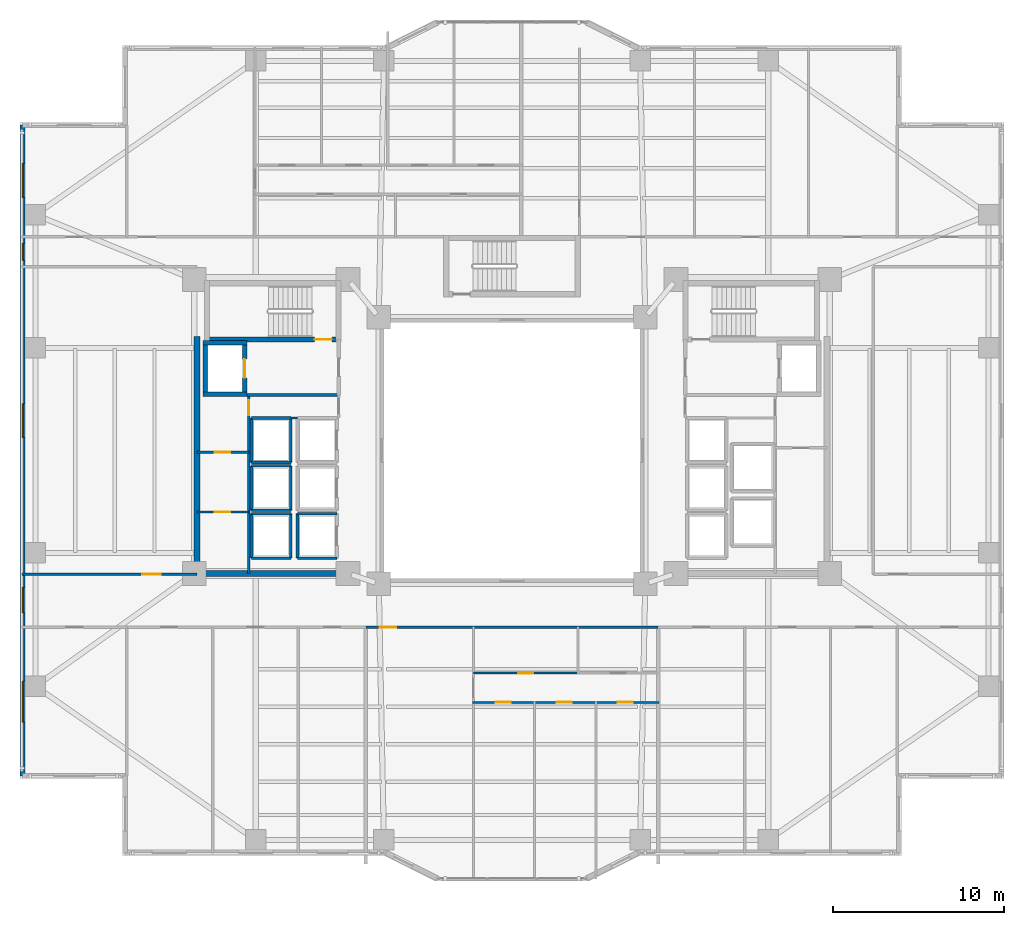
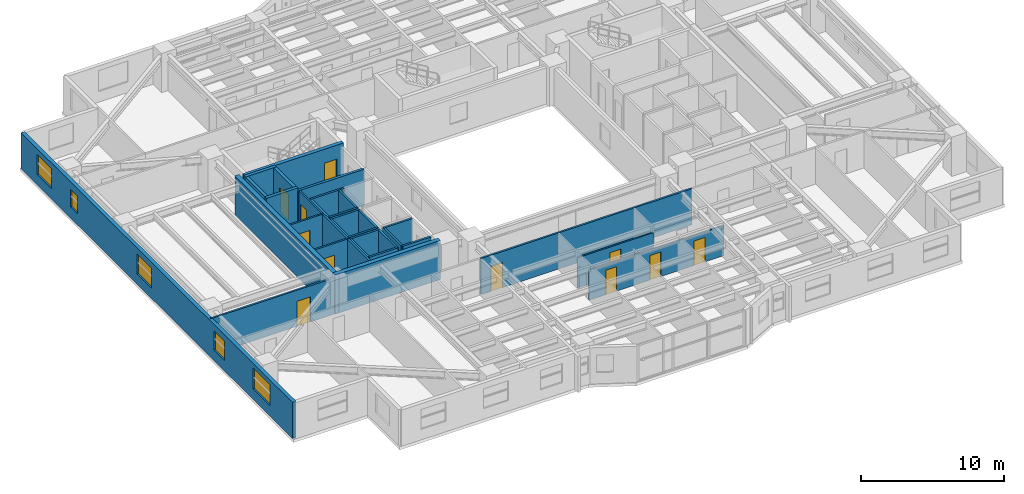
# One storey, part 10 of 19: 32 walls, 11 doors, 5 windows, 16 openings.
"""IFC4 building model written with IfcOpenShell, lengths in metres."""

from ifc_helpers import new_model, si_unit, direction, frame, frame_2d, origin, place, context, subcontext, project, spatial, rectangle, extrude, material, layer, layer_set, type_object, element, fill, save


model = new_model("IFC4")

# Units and contexts
model_context = context("Model", 3, precision=1e-05, world=origin(), true_north=direction((0.0, 1.0)))
body_context = subcontext(model_context, "Body", "Model", "MODEL_VIEW")
ifc_project = project(units=[si_unit("LENGTHUNIT", "METRE"), si_unit("AREAUNIT", "SQUARE_METRE"), si_unit("VOLUMEUNIT", "CUBIC_METRE"), si_unit("PLANEANGLEUNIT", "RADIAN"), si_unit("MASSUNIT", "GRAM", prefix="KILO")], contexts=[model_context])

# Site, building, storey
site_placement = place(None, origin())
site = spatial("IfcSite", under=ifc_project, at=site_placement, CompositionType="ELEMENT")
building_placement = place(site_placement, origin())
building = spatial("IfcBuilding", under=site, at=building_placement, Name="Tarnavaz Court Tower", CompositionType="ELEMENT")
storey_placement = place(building_placement, frame((0.0, 0.0, 54.14990234375)))
storey = spatial("IfcBuildingStorey", under=building, at=storey_placement, Name="L14", CompositionType="ELEMENT", Elevation=54.14990234375)

# Wall
ifc_material_1 = material(Name="Concrete C60/75", Category="concrete")
ifc_layer_1 = layer(ifc_material_1, 0.25)
ifc_layer_set_1 = layer_set([ifc_layer_1], Name="Concrete C60/75")
wall_type_1 = type_object("IfcWallType", Name="WL-CORE-250-C60", PredefinedType="SHEAR", material=ifc_layer_set_1)
wall_1_placement = place(storey_placement, frame((-17.949951171875, 3.175048828125, 0.0), z_axis=(0.0, 0.0, 1.0), x_axis=(0.0, 1.0, 0.0)))
element("IfcWall", 1, at=wall_1_placement, inside=storey, type_object=wall_type_1, Name="L14 Lift FL-W1 Shaft Wall 017", PredefinedType="SHEAR", context=body_context, shape_type="SweptSolid", body=[
    extrude(rectangle(XDim=3.25, YDim=0.25, at=frame_2d((1.625, 0.0))), origin(), (0.0, 0.0, 1.0), 3.35009765625),
])

# Wall, opening, door
wall_2_placement = place(storey_placement, frame((-15.64990234375, 3.175048828125, 0.0), z_axis=(0.0, 0.0, 1.0), x_axis=(0.0, 1.0, 0.0)))
wall_2 = element("IfcWall", 2, at=wall_2_placement, inside=storey, type_object=wall_type_1, Name="L14 Lift FL-W1 Shaft Wall 018", PredefinedType="SHEAR", context=body_context, shape_type="SweptSolid", body=[
    extrude(rectangle(XDim=3.25, YDim=0.25, at=frame_2d((1.625, 0.0))), origin(), (0.0, 0.0, 1.0), 3.35009765625),
])
opening_1_placement = place(wall_2_placement, frame((1.074951171875, 0.0, 0.0)))
opening_1 = element("IfcOpeningElement", 3, at=opening_1_placement, cuts=wall_2, Name="Opening LD1", PredefinedType="OPENING", context=body_context, shape_type="SweptSolid", body=[
    extrude(rectangle(XDim=1.10009765625, YDim=2.14990234375, at=frame_2d((0.550048828125, 1.074951171875))), frame((0.0, 0.135009765625, 0.0), z_axis=(0.0, -1.0, 0.0), x_axis=(1.0, 0.0, 0.0)), (0.0, 0.0, 1.0), 0.27001953125),
])
ifc_material_2 = material(Name="Stainless Steel", Category="steel")
door_type_1 = type_object("IfcDoorType", Name="DR-LD-1100", OperationType="NOTDEFINED", PredefinedType="DOOR", material=ifc_material_2)
door_1_placement = place(opening_1_placement, origin())
door_1 = element("IfcDoor", 4, at=door_1_placement, inside=storey, type_object=door_type_1, Name="L14 Lift Landing Door LD-FL-W1", OperationType="SLIDING_TO_LEFT", OverallHeight=2.14990234375, OverallWidth=1.10009765625, PredefinedType="DOOR", context=body_context, shape_type="SweptSolid", body=[
    extrude(rectangle(XDim=1.10009765625, YDim=2.14990234375, at=frame_2d((0.550048828125, 1.074951171875))), frame((0.0, 0.02490234375, 0.0), z_axis=(0.0, -1.0, 0.0), x_axis=(1.0, 0.0, 0.0)), (0.0, 0.0, 1.0), 0.050048828125),
])
fill(opening_1, door_1)

# Walls
for number, where, z_axis, x_axis, name in (
    (5, (-18.074951171875, 3.300048828125, 0.0), (0.0, 0.0, 1.0), (1.0, 0.0, 0.0), "L14 Lift FL-W1 Shaft Wall 019"),
    (6, (-18.074951171875, 6.300048828125, 0.0), (0.0, 0.0, 1.0), (1.0, 0.0, 0.0), "L14 Lift FL-W1 Shaft Wall 020"),
):
    element("IfcWall", number, at=place(storey_placement, frame(where, z_axis=z_axis, x_axis=x_axis)), inside=storey, type_object=wall_type_1, Name=name, PredefinedType="SHEAR", context=body_context, shape_type="SweptSolid", body=[
        extrude(rectangle(XDim=2.550048828125, YDim=0.25, at=frame_2d((1.27490234375, 0.0))), origin(), (0.0, 0.0, 1.0), 3.35009765625),
    ])

# Wall, opening, door
ifc_layer_2 = layer(ifc_material_1, 0.300048828125)
ifc_layer_set_2 = layer_set([ifc_layer_2], Name="Concrete C60/75")
wall_type_2 = type_object("IfcWallType", Name="WL-CORE-300-C60", PredefinedType="SHEAR", material=ifc_layer_set_2)
wall_3_placement = place(storey_placement, frame((-18.0, 6.5, 0.0), z_axis=(0.0, 0.0, 1.0), x_axis=(1.0, 0.0, 0.0)))
wall_3 = element("IfcWall", 7, at=wall_3_placement, inside=storey, type_object=wall_type_2, Name="L14 West Stair Core Wall 002", PredefinedType="SHEAR", context=body_context, shape_type="SweptSolid", body=[
    extrude(rectangle(XDim=8.0, YDim=0.300048828125, at=frame_2d((4.0, 0.0))), origin(), (0.0, 0.0, 1.0), 3.35009765625),
])
opening_2_placement = place(wall_3_placement, frame((6.449951171875, 0.0, 0.0)))
opening_2 = element("IfcOpeningElement", 8, at=opening_2_placement, cuts=wall_3, Name="Opening D01", PredefinedType="OPENING", context=body_context, shape_type="SweptSolid", body=[
    extrude(rectangle(XDim=1.0, YDim=2.14990234375, at=frame_2d((0.5, 1.074951171875))), frame((0.0, 0.159912109375, 0.0), z_axis=(0.0, -1.0, 0.0), x_axis=(1.0, 0.0, 0.0)), (0.0, 0.0, 1.0), 0.320068359375),
])
ifc_material_3 = material(Name="Fire-Rated Hardwood Timber Core", Category="wood")
door_type_2 = type_object("IfcDoorType", Name="DR-FD90-1000", OperationType="NOTDEFINED", PredefinedType="DOOR", material=ifc_material_3)
door_2_placement = place(opening_2_placement, origin())
door_2 = element("IfcDoor", 9, at=door_2_placement, inside=storey, type_object=door_type_2, Name="L14 Stair ST-W1 Exit Door", OperationType="SINGLE_SWING_LEFT", OverallHeight=2.14990234375, OverallWidth=1.0, PredefinedType="DOOR", context=body_context, shape_type="SweptSolid", body=[
    extrude(rectangle(XDim=1.0, YDim=2.14990234375, at=frame_2d((0.5, 1.074951171875))), frame((0.0, 0.02490234375, 0.0), z_axis=(0.0, -1.0, 0.0), x_axis=(1.0, 0.0, 0.0)), (0.0, 0.0, 1.0), 0.050048828125),
])
fill(opening_2, door_2)

# Walls
ifc_layer_3 = layer(ifc_material_1, 0.35009765625)
ifc_layer_set_3 = layer_set([ifc_layer_3], Name="Concrete C60/75")
wall_type_3 = type_object("IfcWallType", Name="WL-CORE-350-C60", PredefinedType="SHEAR", material=ifc_layer_set_3)
wall_4_placement = place(storey_placement, frame((-18.449951171875, -7.375, 0.0), z_axis=(0.0, 0.0, 1.0), x_axis=(0.0, 1.0, 0.0)))
element("IfcWall", 10, at=wall_4_placement, inside=storey, type_object=wall_type_3, Name="L14 West Core Shear Wall 069", PredefinedType="SHEAR", context=body_context, shape_type="SweptSolid", body=[
    extrude(rectangle(XDim=14.050048828125, YDim=0.35009765625, at=frame_2d((7.02490234375, 0.0))), origin(), (0.0, 0.0, 1.0), 3.35009765625),
])
wall_5_placement = place(storey_placement, frame((-18.625, -7.199951171875, 0.0), z_axis=(0.0, 0.0, 1.0), x_axis=(1.0, 0.0, 0.0)))
element("IfcWall", 11, at=wall_5_placement, inside=storey, type_object=wall_type_3, Name="L14 West Core South Shear Wall 070", PredefinedType="SHEAR", context=body_context, shape_type="SweptSolid", body=[
    extrude(rectangle(XDim=8.550048828125, YDim=0.35009765625, at=frame_2d((4.27490234375, 0.0))), origin(), (0.0, 0.0, 1.0), 3.35009765625),
])

# Wall, openings, windows
ifc_material_4 = material(Name="Precast Concrete C40/50", Category="concrete")
ifc_layer_4 = layer(ifc_material_4, 0.300048828125)
ifc_layer_set_4 = layer_set([ifc_layer_4], Name="Precast Concrete C40/50")
wall_type_4 = type_object("IfcWallType", Name="WL-EXT-300", PredefinedType="SOLIDWALL", material=ifc_layer_set_4)
wall_6_placement = place(storey_placement, frame((-28.64990234375, -19.050048828125, 0.0), z_axis=(0.0, 0.0, 1.0), x_axis=(0.0, 1.0, 0.0)))
wall_6 = element("IfcWall", 12, at=wall_6_placement, inside=storey, type_object=wall_type_4, Name="L14 Exterior Terracotta Facade Wall 02", PredefinedType="SOLIDWALL", context=body_context, shape_type="SweptSolid", body=[
    extrude(rectangle(XDim=38.10009765625, YDim=0.300048828125, at=frame_2d((19.050048828125, 0.0))), origin(), (0.0, 0.0, 1.0), 3.10009765625),
])
opening_3_placement = place(wall_6_placement, frame((3.14990234375, 0.0, 0.89990234375)))
opening_3 = element("IfcOpeningElement", 13, at=opening_3_placement, cuts=wall_6, Name="Opening W06", PredefinedType="OPENING", context=body_context, shape_type="SweptSolid", body=[
    extrude(rectangle(XDim=2.39990234375, YDim=1.800048828125, at=frame_2d((1.199951171875, 0.89990234375))), frame((0.0, 0.159912109375, 0.0), z_axis=(0.0, -1.0, 0.0), x_axis=(1.0, 0.0, 0.0)), (0.0, 0.0, 1.0), 0.320068359375),
])
opening_4_placement = place(wall_6_placement, frame((9.54248046875, 0.0, 0.89990234375)))
opening_4 = element("IfcOpeningElement", 14, at=opening_4_placement, cuts=wall_6, Name="Opening W03", PredefinedType="OPENING", context=body_context, shape_type="SweptSolid", body=[
    extrude(rectangle(XDim=1.5, YDim=1.64990234375, at=frame_2d((0.75, 0.824951171875))), frame((0.0, 0.159912109375, 0.0), z_axis=(0.0, -1.0, 0.0), x_axis=(1.0, 0.0, 0.0)), (0.0, 0.0, 1.0), 0.320068359375),
])
opening_5_placement = place(wall_6_placement, frame((19.800048828125, 0.0, 0.89990234375)))
opening_5 = element("IfcOpeningElement", 15, at=opening_5_placement, cuts=wall_6, Name="Opening W08", PredefinedType="OPENING", context=body_context, shape_type="SweptSolid", body=[
    extrude(rectangle(XDim=2.0, YDim=1.699951171875, at=frame_2d((1.0, 0.85009765625))), frame((0.0, 0.159912109375, 0.0), z_axis=(0.0, -1.0, 0.0), x_axis=(1.0, 0.0, 0.0)), (0.0, 0.0, 1.0), 0.320068359375),
])
opening_6_placement = place(wall_6_placement, frame((30.175048828125, 0.0, 0.949951171875)))
opening_6 = element("IfcOpeningElement", 16, at=opening_6_placement, cuts=wall_6, Name="Opening W14", PredefinedType="OPENING", context=body_context, shape_type="SweptSolid", body=[
    extrude(rectangle(XDim=1.0, YDim=1.5, at=frame_2d((0.5, 0.75))), frame((0.0, 0.159912109375, 0.0), z_axis=(0.0, -1.0, 0.0), x_axis=(1.0, 0.0, 0.0)), (0.0, 0.0, 1.0), 0.320068359375),
])
opening_7_placement = place(wall_6_placement, frame((33.85009765625, 0.0, 0.89990234375)))
opening_7 = element("IfcOpeningElement", 17, at=opening_7_placement, cuts=wall_6, Name="Opening W08", PredefinedType="OPENING", context=body_context, shape_type="SweptSolid", body=[
    extrude(rectangle(XDim=2.0, YDim=1.699951171875, at=frame_2d((1.0, 0.85009765625))), frame((0.0, 0.159912109375, 0.0), z_axis=(0.0, -1.0, 0.0), x_axis=(1.0, 0.0, 0.0)), (0.0, 0.0, 1.0), 0.320068359375),
])
ifc_material_5 = material(Name="Double-Glazed Solar Low-E Glass", Category="glass")
window_type_1 = type_object("IfcWindowType", Name="WN-APT-1000", PartitioningType="SINGLE_PANEL", PredefinedType="WINDOW", material=ifc_material_5)
window_1_placement = place(opening_6_placement, origin())
window_1 = element("IfcWindow", 18, at=window_1_placement, inside=storey, type_object=window_type_1, Name="L14 North-West Corner Corridor Window", OverallHeight=1.5, OverallWidth=1.0, PartitioningType="SINGLE_PANEL", PredefinedType="WINDOW", context=body_context, shape_type="SweptSolid", body=[
    extrude(rectangle(XDim=1.0, YDim=1.5, at=frame_2d((0.5, 0.75))), frame((0.0, 0.030029296875, 0.0), z_axis=(0.0, -1.0, 0.0), x_axis=(1.0, 0.0, 0.0)), (0.0, 0.0, 1.0), 0.06005859375),
])
fill(opening_6, window_1)
window_type_2 = type_object("IfcWindowType", Name="WN-APT-1500", PartitioningType="DOUBLE_PANEL_VERTICAL", PredefinedType="WINDOW", material=ifc_material_5)
window_2_placement = place(opening_4_placement, origin())
window_2 = element("IfcWindow", 19, at=window_2_placement, inside=storey, type_object=window_type_2, Name="L14 South-West Corner Corridor Window", OverallHeight=1.64990234375, OverallWidth=1.5, PartitioningType="SINGLE_PANEL", PredefinedType="WINDOW", context=body_context, shape_type="SweptSolid", body=[
    extrude(rectangle(XDim=1.5, YDim=1.64990234375, at=frame_2d((0.75, 0.824951171875))), frame((0.0, 0.030029296875, 0.0), z_axis=(0.0, -1.0, 0.0), x_axis=(1.0, 0.0, 0.0)), (0.0, 0.0, 1.0), 0.06005859375),
])
fill(opening_4, window_2)
window_type_3 = type_object("IfcWindowType", Name="WN-APT-2000", PartitioningType="DOUBLE_PANEL_VERTICAL", PredefinedType="WINDOW", material=ifc_material_5)
window_3_placement = place(opening_5_placement, origin())
window_3 = element("IfcWindow", 20, at=window_3_placement, inside=storey, type_object=window_type_3, Name="L14 West Wing Panoramic Study Gallery Window", OverallHeight=1.699951171875, OverallWidth=2.0, PartitioningType="SINGLE_PANEL", PredefinedType="WINDOW", context=body_context, shape_type="SweptSolid", body=[
    extrude(rectangle(XDim=2.0, YDim=1.699951171875, at=frame_2d((1.0, 0.85009765625))), frame((0.0, 0.030029296875, 0.0), z_axis=(0.0, -1.0, 0.0), x_axis=(1.0, 0.0, 0.0)), (0.0, 0.0, 1.0), 0.06005859375),
])
fill(opening_5, window_3)
window_4_placement = place(opening_7_placement, origin())
window_4 = element("IfcWindow", 21, at=window_4_placement, inside=storey, type_object=window_type_3, Name="L14 North-West Corner Sunroom Study Window", OverallHeight=1.699951171875, OverallWidth=2.0, PartitioningType="SINGLE_PANEL", PredefinedType="WINDOW", context=body_context, shape_type="SweptSolid", body=[
    extrude(rectangle(XDim=2.0, YDim=1.699951171875, at=frame_2d((1.0, 0.85009765625))), frame((0.0, 0.030029296875, 0.0), z_axis=(0.0, -1.0, 0.0), x_axis=(1.0, 0.0, 0.0)), (0.0, 0.0, 1.0), 0.06005859375),
])
fill(opening_7, window_4)
window_type_4 = type_object("IfcWindowType", Name="WN-APT-2400", PartitioningType="TRIPLE_PANEL_VERTICAL", PredefinedType="WINDOW", material=ifc_material_5)
window_5_placement = place(opening_3_placement, origin())
window_5 = element("IfcWindow", 22, at=window_5_placement, inside=storey, type_object=window_type_4, Name="L14 South-West Corner Reading Room Window", OverallHeight=1.800048828125, OverallWidth=2.39990234375, PartitioningType="SINGLE_PANEL", PredefinedType="WINDOW", context=body_context, shape_type="SweptSolid", body=[
    extrude(rectangle(XDim=2.39990234375, YDim=1.800048828125, at=frame_2d((1.199951171875, 0.89990234375))), frame((0.0, 0.030029296875, 0.0), z_axis=(0.0, -1.0, 0.0), x_axis=(1.0, 0.0, 0.0)), (0.0, 0.0, 1.0), 0.06005859375),
])
fill(opening_3, window_5)

# Wall, opening, door
ifc_material_6 = material(Name="Gypsum Fire-Board on Acoustic Metal Stud", Category="masonry")
ifc_layer_5 = layer(ifc_material_6, 0.14990234375)
ifc_layer_set_5 = layer_set([ifc_layer_5], Name="Gypsum Fire-Board on Acoustic Metal Stud")
wall_type_5 = type_object("IfcWallType", Name="WL-FIRE-150", PredefinedType="PARTITIONING", material=ifc_layer_set_5)
wall_7_placement = place(storey_placement, frame((-8.550048828125, -10.35009765625, 0.0), z_axis=(0.0, 0.0, 1.0), x_axis=(1.0, 0.0, 0.0)))
wall_7 = element("IfcWall", 23, at=wall_7_placement, inside=storey, type_object=wall_type_5, Name="L14 South Ring Corridor Wall 086", PredefinedType="PARTITIONING", context=body_context, shape_type="SweptSolid", body=[
    extrude(rectangle(XDim=17.10009765625, YDim=0.14990234375, at=frame_2d((8.550048828125, 0.0))), origin(), (0.0, 0.0, 1.0), 3.10009765625),
])
opening_8_placement = place(wall_7_placement, frame((0.800048828125, 0.0, 0.0)))
opening_8 = element("IfcOpeningElement", 24, at=opening_8_placement, cuts=wall_7, Name="Opening D06", PredefinedType="OPENING", context=body_context, shape_type="SweptSolid", body=[
    extrude(rectangle(XDim=0.9599609375, YDim=2.14990234375, at=frame_2d((0.47998046875, 1.074951171875))), frame((0.0, 0.0849609375, 0.0), z_axis=(0.0, -1.0, 0.0), x_axis=(1.0, 0.0, 0.0)), (0.0, 0.0, 1.0), 0.169921875),
])
door_type_3 = type_object("IfcDoorType", Name="DR-FD60-950", OperationType="NOTDEFINED", PredefinedType="DOOR", material=ifc_material_3)
door_3_placement = place(opening_8_placement, origin())
door_3 = element("IfcDoor", 25, at=door_3_placement, inside=storey, type_object=door_type_3, Name="L14 Flat 02 Entrance Door", OperationType="SINGLE_SWING_RIGHT", OverallHeight=2.14990234375, OverallWidth=0.9599609375, PredefinedType="DOOR", context=body_context, shape_type="SweptSolid", body=[
    extrude(rectangle(XDim=0.9599609375, YDim=2.14990234375, at=frame_2d((0.47998046875, 1.074951171875))), frame((0.0, 0.02490234375, 0.0), z_axis=(0.0, -1.0, 0.0), x_axis=(1.0, 0.0, 0.0)), (0.0, 0.0, 1.0), 0.050048828125),
])
fill(opening_8, door_3)

wall_8_placement = place(storey_placement, frame((-28.679931640625, -7.25, 0.0), z_axis=(0.0, 0.0, 1.0), x_axis=(1.0, 0.0, 0.0)))
wall_8 = element("IfcWall", 26, at=wall_8_placement, inside=storey, type_object=wall_type_5, Name="L14 Interior Partition 113", PredefinedType="PARTITIONING", context=body_context, shape_type="SweptSolid", body=[
    extrude(rectangle(XDim=10.22998046875, YDim=0.14990234375, at=frame_2d((5.114990234375, 0.0))), origin(), (0.0, 0.0, 1.0), 3.10009765625),
])
opening_9_placement = place(wall_8_placement, frame((7.030029296875, 0.0, 0.0)))
opening_9 = element("IfcOpeningElement", 27, at=opening_9_placement, cuts=wall_8, Name="Opening D12", PredefinedType="OPENING", context=body_context, shape_type="SweptSolid", body=[
    extrude(rectangle(XDim=1.080078125, YDim=2.14990234375, at=frame_2d((0.5400390625, 1.074951171875))), frame((0.0, 0.0849609375, 0.0), z_axis=(0.0, -1.0, 0.0), x_axis=(1.0, 0.0, 0.0)), (0.0, 0.0, 1.0), 0.169921875),
])
ifc_material_7 = material(Name="Engineered Oak Timber", Category="wood")
door_type_4 = type_object("IfcDoorType", Name="DR-INT-1100", OperationType="NOTDEFINED", PredefinedType="DOOR", material=ifc_material_7)
door_4_placement = place(opening_9_placement, origin())
door_4 = element("IfcDoor", 28, at=door_4_placement, inside=storey, type_object=door_type_4, Name="L14 West Study Gallery Door", OperationType="SINGLE_SWING_LEFT", OverallHeight=2.14990234375, OverallWidth=1.080078125, PredefinedType="DOOR", context=body_context, shape_type="SweptSolid", body=[
    extrude(rectangle(XDim=1.080078125, YDim=2.14990234375, at=frame_2d((0.5400390625, 1.074951171875))), frame((0.0, 0.02490234375, 0.0), z_axis=(0.0, -1.0, 0.0), x_axis=(1.0, 0.0, 0.0)), (0.0, 0.0, 1.0), 0.050048828125),
])
fill(opening_9, door_4)

# Wall
ifc_material_8 = material(Name="Autoclaved Aerated Concrete Blockwork", Category="masonry")
ifc_layer_6 = layer(ifc_material_8, 0.199951171875)
ifc_layer_set_6 = layer_set([ifc_layer_6], Name="Autoclaved Aerated Concrete Blockwork")
wall_type_6 = type_object("IfcWallType", Name="WL-FIRE-200", PredefinedType="SOLIDWALL", material=ifc_layer_set_6)
wall_9_placement = place(storey_placement, frame((-15.550048828125, 3.25, 0.0), z_axis=(0.0, 0.0, 1.0), x_axis=(1.0, 0.0, 0.0)))
element("IfcWall", 29, at=wall_9_placement, inside=storey, type_object=wall_type_6, Name="L14 West Firefighting Lobby Wall 013", PredefinedType="SOLIDWALL", context=body_context, shape_type="SweptSolid", body=[
    extrude(rectangle(XDim=5.400146484375, YDim=0.199951171875, at=frame_2d((2.7001953125, 0.0))), origin(), (0.0, 0.0, 1.0), 3.10009765625),
])

# Wall, opening, door
ifc_material_9 = material(Name="Moisture-Resistant Gypsum Board Partition", Category="masonry")
ifc_layer_7 = layer(ifc_material_9, 0.1201171875)
ifc_layer_set_7 = layer_set([ifc_layer_7], Name="Moisture-Resistant Gypsum Board Partition")
wall_type_7 = type_object("IfcWallType", Name="WL-PART-120", PredefinedType="PARTITIONING", material=ifc_layer_set_7)
wall_10_placement = place(storey_placement, frame((-2.25, -13.030029296875, 0.0), z_axis=(0.0, 0.0, 1.0), x_axis=(1.0, 0.0, 0.0)))
wall_10 = element("IfcWall", 30, at=wall_10_placement, inside=storey, type_object=wall_type_7, Name="L14 Interior Partition 107", PredefinedType="PARTITIONING", context=body_context, shape_type="SweptSolid", body=[
    extrude(rectangle(XDim=6.1220703125, YDim=0.1201171875, at=frame_2d((3.06103515625, 0.0))), origin(), (0.0, 0.0, 1.0), 2.585205078125),
])
opening_10_placement = place(wall_10_placement, frame((2.62109375, 0.0, 0.0)))
opening_10 = element("IfcOpeningElement", 31, at=opening_10_placement, cuts=wall_10, Name="Opening D14", PredefinedType="OPENING", context=body_context, shape_type="SweptSolid", body=[
    extrude(rectangle(XDim=0.8798828125, YDim=2.10009765625, at=frame_2d((0.43994140625, 1.050048828125))), frame((0.0, 0.070068359375, 0.0), z_axis=(0.0, -1.0, 0.0), x_axis=(1.0, 0.0, 0.0)), (0.0, 0.0, 1.0), 0.14013671875),
])
door_type_5 = type_object("IfcDoorType", Name="DR-INT-900", OperationType="NOTDEFINED", PredefinedType="DOOR", material=ifc_material_7)
door_5_placement = place(opening_10_placement, origin())
door_5 = element("IfcDoor", 32, at=door_5_placement, inside=storey, type_object=door_type_5, Name="L14 Flat 02 Kitchen Door", OperationType="SINGLE_SWING_RIGHT", OverallHeight=2.10009765625, OverallWidth=0.8798828125, PredefinedType="DOOR", context=body_context, shape_type="SweptSolid", body=[
    extrude(rectangle(XDim=0.8798828125, YDim=2.10009765625, at=frame_2d((0.43994140625, 1.050048828125))), frame((0.0, 0.02490234375, 0.0), z_axis=(0.0, -1.0, 0.0), x_axis=(1.0, 0.0, 0.0)), (0.0, 0.0, 1.0), 0.050048828125),
])
fill(opening_10, door_5)

# Wall, openings, doors
wall_11_placement = place(storey_placement, frame((-2.31005859375, -14.739990234375, 0.0), z_axis=(0.0, 0.0, 1.0), x_axis=(1.0, 0.0, 0.0)))
wall_11 = element("IfcWall", 33, at=wall_11_placement, inside=storey, type_object=wall_type_7, Name="L14 Interior Partition 109", PredefinedType="PARTITIONING", context=body_context, shape_type="SweptSolid", body=[
    extrude(rectangle(XDim=10.920166015625, YDim=0.1201171875, at=frame_2d((5.4599609375, 0.0))), origin(), (0.0, 0.0, 1.0), 2.585205078125),
])
opening_11_placement = place(wall_11_placement, frame((1.35009765625, 0.0, 0.0)))
opening_11 = element("IfcOpeningElement", 34, at=opening_11_placement, cuts=wall_11, Name="Opening D14", PredefinedType="OPENING", context=body_context, shape_type="SweptSolid", body=[
    extrude(rectangle(XDim=0.8798828125, YDim=2.10009765625, at=frame_2d((0.43994140625, 1.050048828125))), frame((0.0, 0.070068359375, 0.0), z_axis=(0.0, -1.0, 0.0), x_axis=(1.0, 0.0, 0.0)), (0.0, 0.0, 1.0), 0.14013671875),
])
opening_12_placement = place(wall_11_placement, frame((4.929931640625, 0.0, 0.0)))
opening_12 = element("IfcOpeningElement", 35, at=opening_12_placement, cuts=wall_11, Name="Opening D14", PredefinedType="OPENING", context=body_context, shape_type="SweptSolid", body=[
    extrude(rectangle(XDim=0.8798828125, YDim=2.10009765625, at=frame_2d((0.43994140625, 1.050048828125))), frame((0.0, 0.070068359375, 0.0), z_axis=(0.0, -1.0, 0.0), x_axis=(1.0, 0.0, 0.0)), (0.0, 0.0, 1.0), 0.14013671875),
])
opening_13_placement = place(wall_11_placement, frame((8.510009765625, 0.0, 0.0)))
opening_13 = element("IfcOpeningElement", 36, at=opening_13_placement, cuts=wall_11, Name="Opening D14", PredefinedType="OPENING", context=body_context, shape_type="SweptSolid", body=[
    extrude(rectangle(XDim=0.8798828125, YDim=2.10009765625, at=frame_2d((0.43994140625, 1.050048828125))), frame((0.0, 0.070068359375, 0.0), z_axis=(0.0, -1.0, 0.0), x_axis=(1.0, 0.0, 0.0)), (0.0, 0.0, 1.0), 0.14013671875),
])
door_6_placement = place(opening_11_placement, origin())
door_6 = element("IfcDoor", 37, at=door_6_placement, inside=storey, type_object=door_type_5, Name="L14 Flat 02 Bedroom 1 Door", OperationType="SINGLE_SWING_RIGHT", OverallHeight=2.10009765625, OverallWidth=0.8798828125, PredefinedType="DOOR", context=body_context, shape_type="SweptSolid", body=[
    extrude(rectangle(XDim=0.8798828125, YDim=2.10009765625, at=frame_2d((0.43994140625, 1.050048828125))), frame((0.0, 0.02490234375, 0.0), z_axis=(0.0, -1.0, 0.0), x_axis=(1.0, 0.0, 0.0)), (0.0, 0.0, 1.0), 0.050048828125),
])
fill(opening_11, door_6)
door_7_placement = place(opening_12_placement, origin())
door_7 = element("IfcDoor", 38, at=door_7_placement, inside=storey, type_object=door_type_5, Name="L14 Flat 02 Bedroom 2 Door", OperationType="SINGLE_SWING_LEFT", OverallHeight=2.10009765625, OverallWidth=0.8798828125, PredefinedType="DOOR", context=body_context, shape_type="SweptSolid", body=[
    extrude(rectangle(XDim=0.8798828125, YDim=2.10009765625, at=frame_2d((0.43994140625, 1.050048828125))), frame((0.0, 0.02490234375, 0.0), z_axis=(0.0, -1.0, 0.0), x_axis=(1.0, 0.0, 0.0)), (0.0, 0.0, 1.0), 0.050048828125),
])
fill(opening_12, door_7)
door_8_placement = place(opening_13_placement, origin())
door_8 = element("IfcDoor", 39, at=door_8_placement, inside=storey, type_object=door_type_5, Name="L14 Flat 02 Bedroom 3 Door", OperationType="SINGLE_SWING_RIGHT", OverallHeight=2.10009765625, OverallWidth=0.8798828125, PredefinedType="DOOR", context=body_context, shape_type="SweptSolid", body=[
    extrude(rectangle(XDim=0.8798828125, YDim=2.10009765625, at=frame_2d((0.43994140625, 1.050048828125))), frame((0.0, 0.02490234375, 0.0), z_axis=(0.0, -1.0, 0.0), x_axis=(1.0, 0.0, 0.0)), (0.0, 0.0, 1.0), 0.050048828125),
])
fill(opening_13, door_8)

# Wall
ifc_material_10 = material(Name="Gypsum Plasterboard Acoustic Partition", Category="masonry")
ifc_layer_8 = layer(ifc_material_10, 0.139892578125)
ifc_layer_set_8 = layer_set([ifc_layer_8], Name="Gypsum Plasterboard Acoustic Partition")
wall_type_8 = type_object("IfcWallType", Name="WL-PART-150", PredefinedType="PARTITIONING", material=ifc_layer_set_8)
wall_12_placement = place(storey_placement, frame((-12.949951171875, 1.89990234375, 0.0), z_axis=(0.0, 0.0, 1.0), x_axis=(1.0, 0.0, 0.0)))
element("IfcWall", 40, at=wall_12_placement, inside=storey, type_object=wall_type_8, Name="L14 Interior Partition 073", PredefinedType="PARTITIONING", context=body_context, shape_type="SweptSolid", body=[
    extrude(rectangle(XDim=0.39990234375, YDim=0.139892578125, at=frame_2d((0.199951171875, 0.0))), origin(), (0.0, 0.0, 1.0), 3.10009765625),
])

# Wall, opening, door
wall_13_placement = place(storey_placement, frame((-15.39990234375, -7.199951171875, 0.0), z_axis=(0.0, 0.0, 1.0), x_axis=(0.0, 1.0, 0.0)))
wall_13 = element("IfcWall", 41, at=wall_13_placement, inside=storey, type_object=wall_type_8, Name="L14 Interior Partition 075", PredefinedType="PARTITIONING", context=body_context, shape_type="SweptSolid", body=[
    extrude(rectangle(XDim=10.449951171875, YDim=0.139892578125, at=frame_2d((5.22509765625, 0.0))), origin(), (0.0, 0.0, 1.0), 3.10009765625),
])
opening_14_placement = place(wall_13_placement, frame((9.25, 0.0, 0.0)))
opening_14 = element("IfcOpeningElement", 42, at=opening_14_placement, cuts=wall_13, Name="Opening D09", PredefinedType="OPENING", context=body_context, shape_type="SweptSolid", body=[
    extrude(rectangle(XDim=0.89990234375, YDim=2.080078125, at=frame_2d((0.449951171875, 1.0400390625))), frame((0.0, 0.079833984375, 0.0), z_axis=(0.0, -1.0, 0.0), x_axis=(1.0, 0.0, 0.0)), (0.0, 0.0, 1.0), 0.159912109375),
])
door_type_6 = type_object("IfcDoorType", Name="DR-FD30-900", OperationType="NOTDEFINED", PredefinedType="DOOR", material=ifc_material_3)
door_9_placement = place(opening_14_placement, origin())
door_9 = element("IfcDoor", 43, at=door_9_placement, inside=storey, type_object=door_type_6, Name="L14 West ICT Comms Door", OperationType="SINGLE_SWING_RIGHT", OverallHeight=2.080078125, OverallWidth=0.89990234375, PredefinedType="DOOR", context=body_context, shape_type="SweptSolid", body=[
    extrude(rectangle(XDim=0.89990234375, YDim=2.080078125, at=frame_2d((0.449951171875, 1.0400390625))), frame((0.0, 0.02490234375, 0.0), z_axis=(0.0, -1.0, 0.0), x_axis=(1.0, 0.0, 0.0)), (0.0, 0.0, 1.0), 0.050048828125),
])
fill(opening_14, door_9)

wall_14_placement = place(storey_placement, frame((-18.449951171875, -3.60009765625, 0.0), z_axis=(0.0, 0.0, 1.0), x_axis=(1.0, 0.0, 0.0)))
wall_14 = element("IfcWall", 44, at=wall_14_placement, inside=storey, type_object=wall_type_8, Name="L14 Interior Partition 076", PredefinedType="PARTITIONING", context=body_context, shape_type="SweptSolid", body=[
    extrude(rectangle(XDim=3.050048828125, YDim=0.139892578125, at=frame_2d((1.52490234375, 0.0))), origin(), (0.0, 0.0, 1.0), 3.10009765625),
])
opening_15_placement = place(wall_14_placement, frame((1.050048828125, 0.0, 0.0)))
opening_15 = element("IfcOpeningElement", 45, at=opening_15_placement, cuts=wall_14, Name="Opening D09", PredefinedType="OPENING", context=body_context, shape_type="SweptSolid", body=[
    extrude(rectangle(XDim=0.89990234375, YDim=2.080078125, at=frame_2d((0.449951171875, 1.0400390625))), frame((0.0, 0.079833984375, 0.0), z_axis=(0.0, -1.0, 0.0), x_axis=(1.0, 0.0, 0.0)), (0.0, 0.0, 1.0), 0.159912109375),
])
door_10_placement = place(opening_15_placement, origin())
door_10 = element("IfcDoor", 46, at=door_10_placement, inside=storey, type_object=door_type_6, Name="L14 West Electrical Closet Door", OperationType="SINGLE_SWING_RIGHT", OverallHeight=2.080078125, OverallWidth=0.89990234375, PredefinedType="DOOR", context=body_context, shape_type="SweptSolid", body=[
    extrude(rectangle(XDim=0.89990234375, YDim=2.080078125, at=frame_2d((0.449951171875, 1.0400390625))), frame((0.0, 0.02490234375, 0.0), z_axis=(0.0, -1.0, 0.0), x_axis=(1.0, 0.0, 0.0)), (0.0, 0.0, 1.0), 0.050048828125),
])
fill(opening_15, door_10)

wall_15_placement = place(storey_placement, frame((-18.449951171875, -0.10009765625, 0.0), z_axis=(0.0, 0.0, 1.0), x_axis=(1.0, 0.0, 0.0)))
wall_15 = element("IfcWall", 47, at=wall_15_placement, inside=storey, type_object=wall_type_8, Name="L14 Interior Partition 077", PredefinedType="PARTITIONING", context=body_context, shape_type="SweptSolid", body=[
    extrude(rectangle(XDim=3.050048828125, YDim=0.139892578125, at=frame_2d((1.52490234375, 0.0))), origin(), (0.0, 0.0, 1.0), 3.10009765625),
])
opening_16_placement = place(wall_15_placement, frame((1.050048828125, 0.0, 0.0)))
opening_16 = element("IfcOpeningElement", 48, at=opening_16_placement, cuts=wall_15, Name="Opening D09", PredefinedType="OPENING", context=body_context, shape_type="SweptSolid", body=[
    extrude(rectangle(XDim=0.89990234375, YDim=2.080078125, at=frame_2d((0.449951171875, 1.0400390625))), frame((0.0, 0.079833984375, 0.0), z_axis=(0.0, -1.0, 0.0), x_axis=(1.0, 0.0, 0.0)), (0.0, 0.0, 1.0), 0.159912109375),
])
door_11_placement = place(opening_16_placement, origin())
door_11 = element("IfcDoor", 49, at=door_11_placement, inside=storey, type_object=door_type_6, Name="L14 West Chilled-Water Riser Door", OperationType="SINGLE_SWING_LEFT", OverallHeight=2.080078125, OverallWidth=0.89990234375, PredefinedType="DOOR", context=body_context, shape_type="SweptSolid", body=[
    extrude(rectangle(XDim=0.89990234375, YDim=2.080078125, at=frame_2d((0.449951171875, 1.0400390625))), frame((0.0, 0.02490234375, 0.0), z_axis=(0.0, -1.0, 0.0), x_axis=(1.0, 0.0, 0.0)), (0.0, 0.0, 1.0), 0.050048828125),
])
fill(opening_16, door_11)

# Walls
ifc_layer_9 = layer(ifc_material_8, 0.159912109375)
ifc_layer_set_9 = layer_set([ifc_layer_9], Name="Autoclaved Aerated Concrete Blockwork")
wall_type_9 = type_object("IfcWallType", Name="WL-SHAFT-150", PredefinedType="SOLIDWALL", material=ifc_layer_set_9)
wall_16_placement = place(storey_placement, frame((-12.550048828125, -6.300048828125, 0.0), z_axis=(0.0, 0.0, 1.0), x_axis=(0.0, 1.0, 0.0)))
element("IfcWall", 50, at=wall_16_placement, inside=storey, type_object=wall_type_9, Name="L14 Lift PL-L1 Shaft Wall 021", PredefinedType="SOLIDWALL", context=body_context, shape_type="SweptSolid", body=[
    extrude(rectangle(XDim=2.60009765625, YDim=0.159912109375, at=frame_2d((1.300048828125, 0.0))), origin(), (0.0, 0.0, 1.0), 3.10009765625),
])
for number, where, z_axis, x_axis, name in (
    (51, (-12.550048828125, -6.300048828125, 0.0), (0.0, 0.0, 1.0), (1.0, 0.0, 0.0), "L14 Lift PL-L1 Shaft Wall 023"),
    (52, (-12.550048828125, -3.699951171875, 0.0), (0.0, 0.0, 1.0), (1.0, 0.0, 0.0), "L14 Lift PL-L1 Shaft Wall 024"),
):
    element("IfcWall", number, at=place(storey_placement, frame(where, z_axis=z_axis, x_axis=x_axis)), inside=storey, type_object=wall_type_9, Name=name, PredefinedType="SOLIDWALL", context=body_context, shape_type="SweptSolid", body=[
        extrude(rectangle(XDim=2.300048828125, YDim=0.159912109375, at=frame_2d((1.14990234375, 0.0))), origin(), (0.0, 0.0, 1.0), 3.10009765625),
    ])
for number, where, z_axis, x_axis, name in (
    (53, (-15.25, -6.300048828125, 0.0), (0.0, 0.0, 1.0), (0.0, 1.0, 0.0), "L14 Lift PL-H1 Shaft Wall 033"),
    (54, (-12.949951171875, -6.300048828125, 0.0), (0.0, 0.0, 1.0), (0.0, 1.0, 0.0), "L14 Lift PL-H1 Shaft Wall 034"),
):
    element("IfcWall", number, at=place(storey_placement, frame(where, z_axis=z_axis, x_axis=x_axis)), inside=storey, type_object=wall_type_9, Name=name, PredefinedType="SOLIDWALL", context=body_context, shape_type="SweptSolid", body=[
        extrude(rectangle(XDim=2.60009765625, YDim=0.159912109375, at=frame_2d((1.300048828125, 0.0))), origin(), (0.0, 0.0, 1.0), 3.10009765625),
    ])
for number, where, z_axis, x_axis, name in (
    (55, (-15.25, -6.300048828125, 0.0), (0.0, 0.0, 1.0), (1.0, 0.0, 0.0), "L14 Lift PL-H1 Shaft Wall 035"),
    (56, (-15.25, -3.699951171875, 0.0), (0.0, 0.0, 1.0), (1.0, 0.0, 0.0), "L14 Lift PL-H1 Shaft Wall 036"),
):
    element("IfcWall", number, at=place(storey_placement, frame(where, z_axis=z_axis, x_axis=x_axis)), inside=storey, type_object=wall_type_9, Name=name, PredefinedType="SOLIDWALL", context=body_context, shape_type="SweptSolid", body=[
        extrude(rectangle(XDim=2.300048828125, YDim=0.159912109375, at=frame_2d((1.14990234375, 0.0))), origin(), (0.0, 0.0, 1.0), 3.10009765625),
    ])
for number, where, z_axis, x_axis, name in (
    (57, (-15.25, -3.5, 0.0), (0.0, 0.0, 1.0), (0.0, 1.0, 0.0), "L14 Lift PL-H2 Shaft Wall 037"),
    (58, (-12.949951171875, -3.5, 0.0), (0.0, 0.0, 1.0), (0.0, 1.0, 0.0), "L14 Lift PL-H2 Shaft Wall 038"),
):
    element("IfcWall", number, at=place(storey_placement, frame(where, z_axis=z_axis, x_axis=x_axis)), inside=storey, type_object=wall_type_9, Name=name, PredefinedType="SOLIDWALL", context=body_context, shape_type="SweptSolid", body=[
        extrude(rectangle(XDim=2.60009765625, YDim=0.159912109375, at=frame_2d((1.300048828125, 0.0))), origin(), (0.0, 0.0, 1.0), 3.10009765625),
    ])
for number, where, z_axis, x_axis, name in (
    (59, (-15.25, -3.5, 0.0), (0.0, 0.0, 1.0), (1.0, 0.0, 0.0), "L14 Lift PL-H2 Shaft Wall 039"),
    (60, (-15.25, -0.89990234375, 0.0), (0.0, 0.0, 1.0), (1.0, 0.0, 0.0), "L14 Lift PL-H2 Shaft Wall 040"),
):
    element("IfcWall", number, at=place(storey_placement, frame(where, z_axis=z_axis, x_axis=x_axis)), inside=storey, type_object=wall_type_9, Name=name, PredefinedType="SOLIDWALL", context=body_context, shape_type="SweptSolid", body=[
        extrude(rectangle(XDim=2.300048828125, YDim=0.159912109375, at=frame_2d((1.14990234375, 0.0))), origin(), (0.0, 0.0, 1.0), 3.10009765625),
    ])
for number, where, z_axis, x_axis, name in (
    (61, (-15.25, -0.699951171875, 0.0), (0.0, 0.0, 1.0), (0.0, 1.0, 0.0), "L14 Lift PL-H3 Shaft Wall 041"),
    (62, (-12.949951171875, -0.699951171875, 0.0), (0.0, 0.0, 1.0), (0.0, 1.0, 0.0), "L14 Lift PL-H3 Shaft Wall 042"),
):
    element("IfcWall", number, at=place(storey_placement, frame(where, z_axis=z_axis, x_axis=x_axis)), inside=storey, type_object=wall_type_9, Name=name, PredefinedType="SOLIDWALL", context=body_context, shape_type="SweptSolid", body=[
        extrude(rectangle(XDim=2.599853515625, YDim=0.159912109375, at=frame_2d((1.2998046875, 0.0))), origin(), (0.0, 0.0, 1.0), 3.10009765625),
    ])
for number, where, z_axis, x_axis, name in (
    (63, (-15.25, -0.699951171875, 0.0), (0.0, 0.0, 1.0), (1.0, 0.0, 0.0), "L14 Lift PL-H3 Shaft Wall 043"),
    (64, (-15.25, 1.89990234375, 0.0), (0.0, 0.0, 1.0), (1.0, 0.0, 0.0), "L14 Lift PL-H3 Shaft Wall 044"),
):
    element("IfcWall", number, at=place(storey_placement, frame(where, z_axis=z_axis, x_axis=x_axis)), inside=storey, type_object=wall_type_9, Name=name, PredefinedType="SOLIDWALL", context=body_context, shape_type="SweptSolid", body=[
        extrude(rectangle(XDim=2.300048828125, YDim=0.159912109375, at=frame_2d((1.14990234375, 0.0))), origin(), (0.0, 0.0, 1.0), 3.10009765625),
    ])

save(model, "model.ifc")
